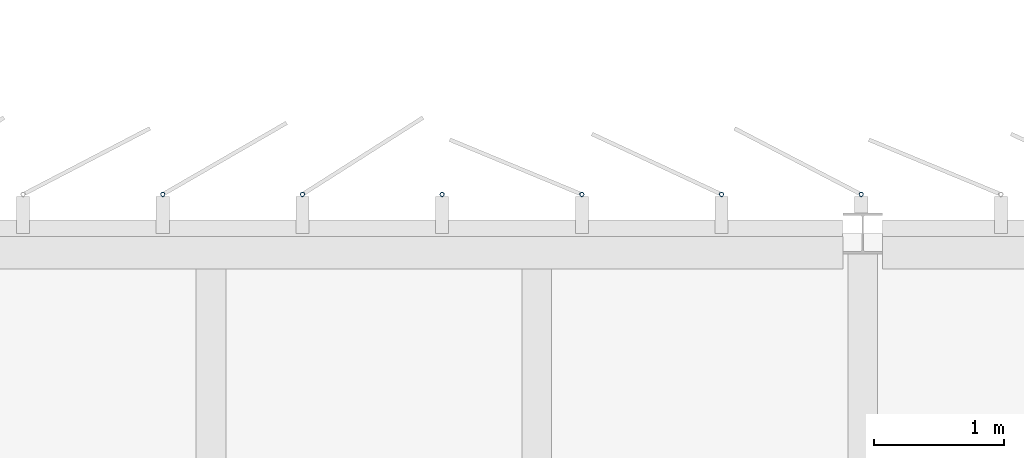
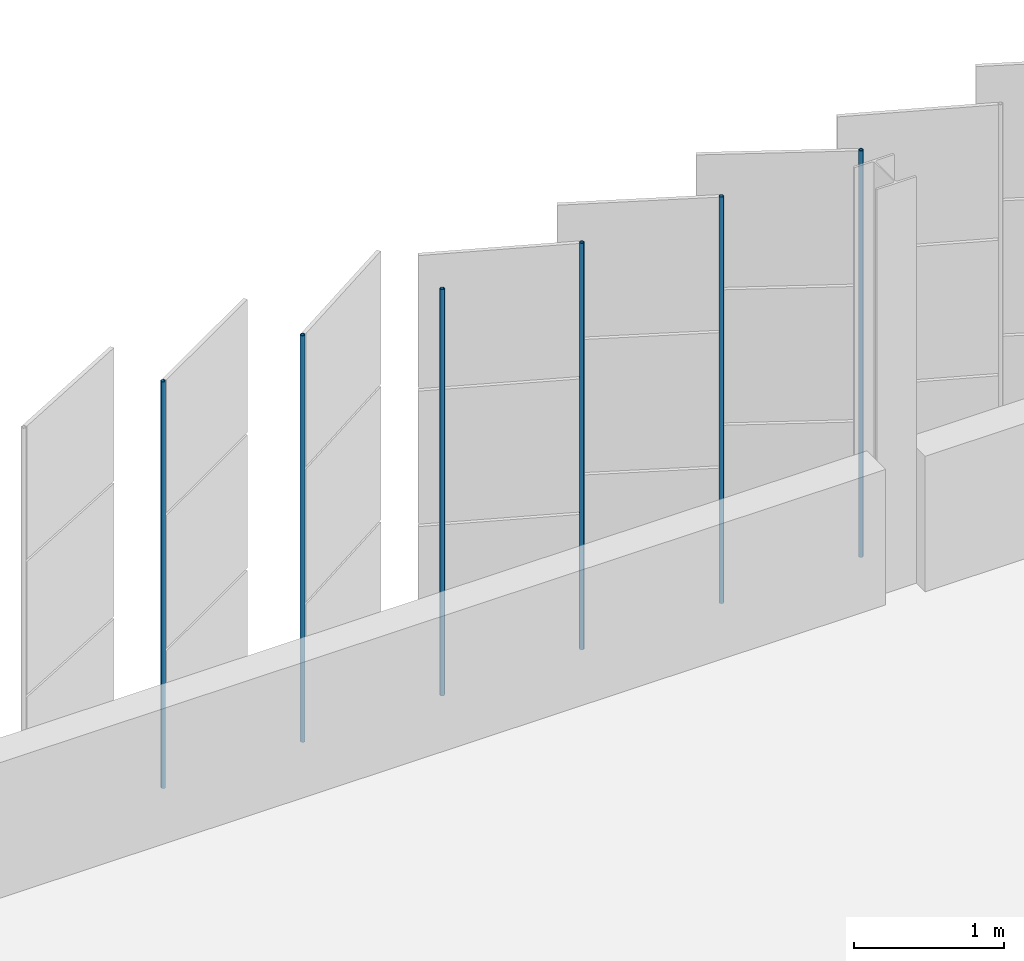
# One storey, part 151 of 214: 6 discrete accessories.
"""IFC4 building model written with IfcOpenShell, lengths in metres."""

from ifc_helpers import new_model, si_unit, direction, frame, origin, origin_2d, place, context, subcontext, project, spatial, hollow_circle, extrude, material, material_profile, profile_set, type_object, element, save


model = new_model("IFC4")

# Units and contexts
model_context = context("Model", 3, precision=1e-05, world=origin(), true_north=direction((0.0, 1.0)))
body_context = subcontext(model_context, "Body", "Model", "MODEL_VIEW")
ifc_project = project(units=[si_unit("LENGTHUNIT", "METRE"), si_unit("AREAUNIT", "SQUARE_METRE"), si_unit("VOLUMEUNIT", "CUBIC_METRE"), si_unit("PLANEANGLEUNIT", "RADIAN"), si_unit("MASSUNIT", "GRAM", prefix="KILO")], contexts=[model_context])

# Site, building, storey
site_placement = place(None, origin())
site = spatial("IfcSite", under=ifc_project, at=site_placement, CompositionType="ELEMENT")
building_placement = place(site_placement, origin())
building = spatial("IfcBuilding", under=site, at=building_placement, Name="Parallax Yard Mobility Hub", CompositionType="ELEMENT")
storey_placement = place(building_placement, frame((0.0, 0.0, 3.300048828125)))
storey = spatial("IfcBuildingStorey", under=building, at=storey_placement, Name="L01", CompositionType="ELEMENT", Elevation=3.300048828125)

# Discrete accessories
ifc_material = material(Name="Steel ASTM A500 Gr C, hot-dip galvanised", Category="steel")
ifc_material_profile = material_profile(ifc_material, hollow_circle(Radius=0.016845703125, WallThickness=0.003173828125, at=origin_2d()), Name="CHS 33.7x3.2")
ifc_profile_set = profile_set([ifc_material_profile], Name="Steel ASTM A500 Gr C, hot-dip galvanised")
discrete_accessory_type = type_object("IfcDiscreteAccessoryType", Name="Hinge post CHS 33.7x3.2", PredefinedType="BRACKET", material=ifc_profile_set)
for number, where, z_axis, x_axis, name in (
    (1, (59.988525390625, 142.800048828125, 0.0), (0.0, 0.0, 1.0), (1.0, 0.0, 0.0), "Hinge post bay 66.1 level L01"),
    (2, (58.9169921875, 142.800048828125, 0.0), (0.0, 0.0, 1.0), (1.0, 0.0, 0.0), "Hinge post bay 66.2 level L01"),
    (3, (57.845458984375, 142.800048828125, 0.0), (0.0, 0.0, 1.0), (1.0, 0.0, 0.0), "Hinge post bay 66.3 level L01"),
    (4, (56.77392578125, 142.800048828125, 0.0), (0.0, 0.0, 1.0), (1.0, 0.0, 0.0), "Hinge post bay 66.4 level L01"),
    (5, (55.702392578125, 142.800048828125, 0.0), (0.0, 0.0, 1.0), (1.0, 0.0, 0.0), "Hinge post bay 66.5 level L01"),
    (6, (54.630859375, 142.800048828125, 0.0), (0.0, 0.0, 1.0), (1.0, 0.0, 0.0), "Hinge post bay 66.6 level L01"),
):
    element("IfcDiscreteAccessory", number, at=place(storey_placement, frame(where, z_axis=z_axis, x_axis=x_axis)), inside=storey, type_object=discrete_accessory_type, Name=name, PredefinedType="BRACKET", context=body_context, shape_type="SweptSolid", body=[
        extrude(hollow_circle(Radius=0.016845703125, WallThickness=0.003173828125, at=origin_2d()), origin(), (0.0, 0.0, 1.0), 3.300048828125),
    ])

save(model, "model.ifc")
